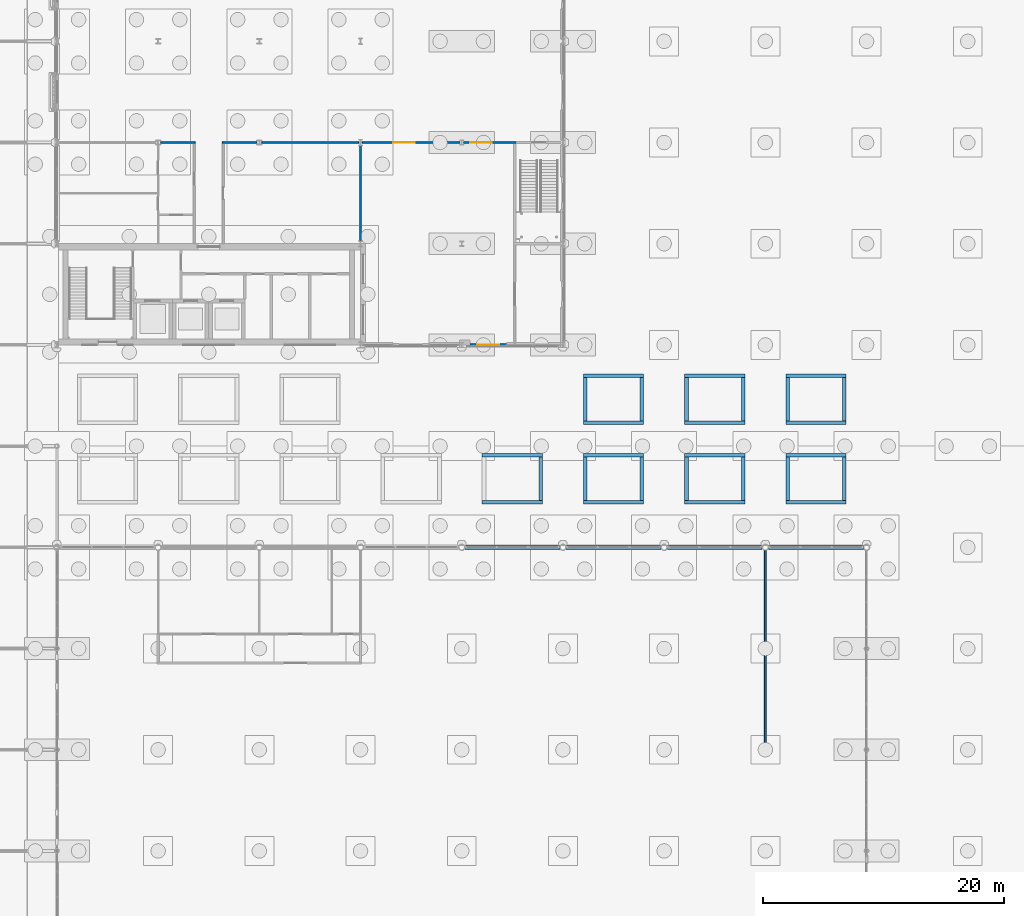
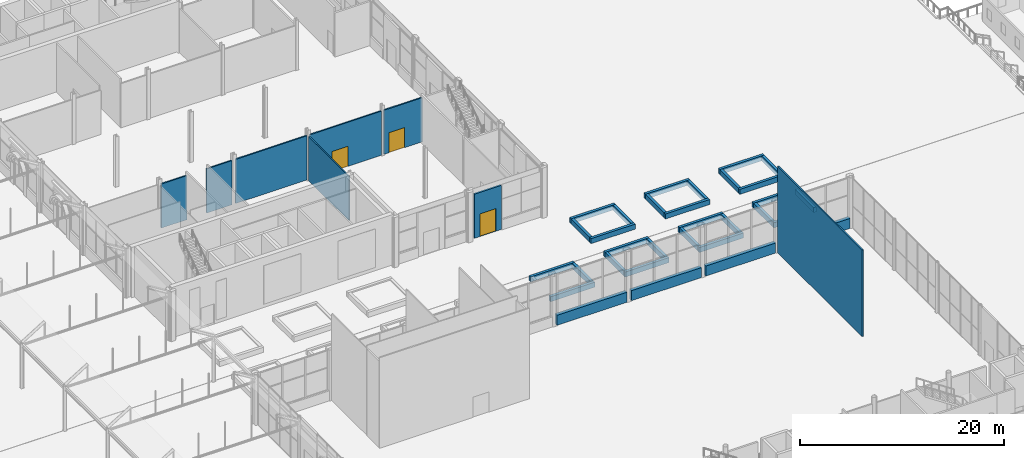
# One storey, part 187 of 212: 39 walls, 3 doors, 3 openings.
"""IFC4 building model written with IfcOpenShell, lengths in metres."""

from ifc_helpers import new_model, si_unit, direction, frame, frame_2d, origin, place, context, subcontext, project, spatial, rectangle, extrude, material, layer, layer_set, type_object, element, fill, save


model = new_model("IFC4")

# Units and contexts
model_context = context("Model", 3, precision=1e-05, world=origin(), true_north=direction((0.0, 1.0)))
body_context = subcontext(model_context, "Body", "Model", "MODEL_VIEW")
ifc_project = project(units=[si_unit("LENGTHUNIT", "METRE"), si_unit("AREAUNIT", "SQUARE_METRE"), si_unit("VOLUMEUNIT", "CUBIC_METRE"), si_unit("PLANEANGLEUNIT", "RADIAN"), si_unit("MASSUNIT", "GRAM", prefix="KILO")], contexts=[model_context])

# Site, building, storey
site_placement = place(None, origin())
site = spatial("IfcSite", under=ifc_project, at=site_placement, CompositionType="ELEMENT")
building_placement = place(site_placement, origin())
building = spatial("IfcBuilding", under=site, at=building_placement, Name="Catenary Quay Ferry Terminal", CompositionType="ELEMENT")
storey_placement = place(building_placement, origin())
storey = spatial("IfcBuildingStorey", under=building, at=storey_placement, Name="L00", CompositionType="ELEMENT", Elevation=0.0)

# Walls
ifc_material_1 = material(Name="Masonry and insulation", Category="masonry")
ifc_layer_1 = layer(ifc_material_1, 0.39990234375)
ifc_layer_set_1 = layer_set([ifc_layer_1], Name="EW14")
wall_type_1 = type_object("IfcWallType", Name="EW14", PredefinedType="SOLIDWALL", material=ifc_layer_set_1)
wall_1_placement = place(storey_placement, frame((59.06005859375, 142.800048828125, 0.0), z_axis=(0.0, 0.0, 1.0), x_axis=(1.0, 0.0, 0.0)))
element("IfcWall", 1, at=wall_1_placement, inside=storey, type_object=wall_type_1, Name="Plinth hall wall WL24", PredefinedType="SOLIDWALL", context=body_context, shape_type="SweptSolid", body=[
    extrude(rectangle(XDim=7.8798828125, YDim=0.39990234375, at=frame_2d((3.93994140625, 0.0))), origin(), (0.0, 0.0, 1.0), 1.199951171875),
])
wall_2_placement = place(storey_placement, frame((67.4599609375, 142.800048828125, 0.0), z_axis=(0.0, 0.0, 1.0), x_axis=(1.0, 0.0, 0.0)))
element("IfcWall", 2, at=wall_2_placement, inside=storey, type_object=wall_type_1, Name="Plinth hall wall WL25", PredefinedType="SOLIDWALL", context=body_context, shape_type="SweptSolid", body=[
    extrude(rectangle(XDim=7.880126953125, YDim=0.39990234375, at=frame_2d((3.93994140625, 0.0))), origin(), (0.0, 0.0, 1.0), 1.199951171875),
])
for number, where, z_axis, x_axis, name in (
    (3, (75.860107421875, 142.800048828125, 0.0), (0.0, 0.0, 1.0), (1.0, 0.0, 0.0), "Plinth hall wall WL26"),
    (4, (84.260009765625, 142.800048828125, 0.0), (0.0, 0.0, 1.0), (1.0, 0.0, 0.0), "Plinth hall wall WL27"),
):
    element("IfcWall", number, at=place(storey_placement, frame(where, z_axis=z_axis, x_axis=x_axis)), inside=storey, type_object=wall_type_1, Name=name, PredefinedType="SOLIDWALL", context=body_context, shape_type="SweptSolid", body=[
        extrude(rectangle(XDim=7.8798828125, YDim=0.39990234375, at=frame_2d((3.93994140625, 0.0))), origin(), (0.0, 0.0, 1.0), 1.199951171875),
    ])
ifc_material_2 = material(Name="Masonry and insulation", Category="masonry")
ifc_layer_2 = layer(ifc_material_2, 0.300048828125)
ifc_layer_set_2 = layer_set([ifc_layer_2], Name="EW15")
wall_type_2 = type_object("IfcWallType", Name="EW15", PredefinedType="SOLIDWALL", material=ifc_layer_set_2)
for number, where, z_axis, x_axis, name in (
    (5, (60.5, 146.550048828125, 0.0), (0.0, 0.0, 1.0), (1.0, 0.0, 0.0), "Planter court wall WL108"),
    (6, (60.5, 150.449951171875, 0.0), (0.0, 0.0, 1.0), (1.0, 0.0, 0.0), "Planter court wall WL109"),
):
    element("IfcWall", number, at=place(storey_placement, frame(where, z_axis=z_axis, x_axis=x_axis)), inside=storey, type_object=wall_type_2, Name=name, PredefinedType="SOLIDWALL", context=body_context, shape_type="SweptSolid", body=[
        extrude(rectangle(XDim=5.0, YDim=0.300048828125, at=frame_2d((2.5, 0.0))), origin(), (0.0, 0.0, 1.0), 0.60009765625),
    ])
wall_3_placement = place(storey_placement, frame((65.35009765625, 146.699951171875, 0.0), z_axis=(0.0, 0.0, 1.0), x_axis=(0.0, 1.0, 0.0)))
element("IfcWall", 7, at=wall_3_placement, inside=storey, type_object=wall_type_2, Name="Planter court wall WL111", PredefinedType="SOLIDWALL", context=body_context, shape_type="SweptSolid", body=[
    extrude(rectangle(XDim=3.60009765625, YDim=0.300048828125, at=frame_2d((1.800048828125, 0.0))), origin(), (0.0, 0.0, 1.0), 0.60009765625),
])
for number, where, z_axis, x_axis, name in (
    (8, (68.89990234375, 146.550048828125, 0.0), (0.0, 0.0, 1.0), (1.0, 0.0, 0.0), "Planter court wall WL112"),
    (9, (68.89990234375, 150.449951171875, 0.0), (0.0, 0.0, 1.0), (1.0, 0.0, 0.0), "Planter court wall WL113"),
):
    element("IfcWall", number, at=place(storey_placement, frame(where, z_axis=z_axis, x_axis=x_axis)), inside=storey, type_object=wall_type_2, Name=name, PredefinedType="SOLIDWALL", context=body_context, shape_type="SweptSolid", body=[
        extrude(rectangle(XDim=5.0, YDim=0.300048828125, at=frame_2d((2.5, 0.0))), origin(), (0.0, 0.0, 1.0), 0.60009765625),
    ])
for number, where, z_axis, x_axis, name in (
    (10, (69.050048828125, 146.699951171875, 0.0), (0.0, 0.0, 1.0), (0.0, 1.0, 0.0), "Planter court wall WL114"),
    (11, (73.75, 146.699951171875, 0.0), (0.0, 0.0, 1.0), (0.0, 1.0, 0.0), "Planter court wall WL115"),
):
    element("IfcWall", number, at=place(storey_placement, frame(where, z_axis=z_axis, x_axis=x_axis)), inside=storey, type_object=wall_type_2, Name=name, PredefinedType="SOLIDWALL", context=body_context, shape_type="SweptSolid", body=[
        extrude(rectangle(XDim=3.60009765625, YDim=0.300048828125, at=frame_2d((1.800048828125, 0.0))), origin(), (0.0, 0.0, 1.0), 0.60009765625),
    ])
for number, where, z_axis, x_axis, name in (
    (12, (68.89990234375, 153.14990234375, 0.0), (0.0, 0.0, 1.0), (1.0, 0.0, 0.0), "Planter court wall WL116"),
    (13, (68.89990234375, 157.050048828125, 0.0), (0.0, 0.0, 1.0), (1.0, 0.0, 0.0), "Planter court wall WL117"),
):
    element("IfcWall", number, at=place(storey_placement, frame(where, z_axis=z_axis, x_axis=x_axis)), inside=storey, type_object=wall_type_2, Name=name, PredefinedType="SOLIDWALL", context=body_context, shape_type="SweptSolid", body=[
        extrude(rectangle(XDim=5.0, YDim=0.300048828125, at=frame_2d((2.5, 0.0))), origin(), (0.0, 0.0, 1.0), 0.60009765625),
    ])
for number, where, z_axis, x_axis, name in (
    (14, (69.050048828125, 153.300048828125, 0.0), (0.0, 0.0, 1.0), (0.0, 1.0, 0.0), "Planter court wall WL118"),
    (15, (73.75, 153.300048828125, 0.0), (0.0, 0.0, 1.0), (0.0, 1.0, 0.0), "Planter court wall WL119"),
):
    element("IfcWall", number, at=place(storey_placement, frame(where, z_axis=z_axis, x_axis=x_axis)), inside=storey, type_object=wall_type_2, Name=name, PredefinedType="SOLIDWALL", context=body_context, shape_type="SweptSolid", body=[
        extrude(rectangle(XDim=3.599853515625, YDim=0.300048828125, at=frame_2d((1.7998046875, 0.0))), origin(), (0.0, 0.0, 1.0), 0.60009765625),
    ])
for number, where, z_axis, x_axis, name in (
    (16, (77.300048828125, 146.550048828125, 0.0), (0.0, 0.0, 1.0), (1.0, 0.0, 0.0), "Planter court wall WL120"),
    (17, (77.300048828125, 150.449951171875, 0.0), (0.0, 0.0, 1.0), (1.0, 0.0, 0.0), "Planter court wall WL121"),
):
    element("IfcWall", number, at=place(storey_placement, frame(where, z_axis=z_axis, x_axis=x_axis)), inside=storey, type_object=wall_type_2, Name=name, PredefinedType="SOLIDWALL", context=body_context, shape_type="SweptSolid", body=[
        extrude(rectangle(XDim=5.0, YDim=0.300048828125, at=frame_2d((2.5, 0.0))), origin(), (0.0, 0.0, 1.0), 0.60009765625),
    ])
for number, where, z_axis, x_axis, name in (
    (18, (77.449951171875, 146.699951171875, 0.0), (0.0, 0.0, 1.0), (0.0, 1.0, 0.0), "Planter court wall WL122"),
    (19, (82.14990234375, 146.699951171875, 0.0), (0.0, 0.0, 1.0), (0.0, 1.0, 0.0), "Planter court wall WL123"),
):
    element("IfcWall", number, at=place(storey_placement, frame(where, z_axis=z_axis, x_axis=x_axis)), inside=storey, type_object=wall_type_2, Name=name, PredefinedType="SOLIDWALL", context=body_context, shape_type="SweptSolid", body=[
        extrude(rectangle(XDim=3.60009765625, YDim=0.300048828125, at=frame_2d((1.800048828125, 0.0))), origin(), (0.0, 0.0, 1.0), 0.60009765625),
    ])
for number, where, z_axis, x_axis, name in (
    (20, (77.300048828125, 153.14990234375, 0.0), (0.0, 0.0, 1.0), (1.0, 0.0, 0.0), "Planter court wall WL124"),
    (21, (77.300048828125, 157.050048828125, 0.0), (0.0, 0.0, 1.0), (1.0, 0.0, 0.0), "Planter court wall WL125"),
):
    element("IfcWall", number, at=place(storey_placement, frame(where, z_axis=z_axis, x_axis=x_axis)), inside=storey, type_object=wall_type_2, Name=name, PredefinedType="SOLIDWALL", context=body_context, shape_type="SweptSolid", body=[
        extrude(rectangle(XDim=5.0, YDim=0.300048828125, at=frame_2d((2.5, 0.0))), origin(), (0.0, 0.0, 1.0), 0.60009765625),
    ])
for number, where, z_axis, x_axis, name in (
    (22, (77.449951171875, 153.300048828125, 0.0), (0.0, 0.0, 1.0), (0.0, 1.0, 0.0), "Planter court wall WL126"),
    (23, (82.14990234375, 153.300048828125, 0.0), (0.0, 0.0, 1.0), (0.0, 1.0, 0.0), "Planter court wall WL127"),
):
    element("IfcWall", number, at=place(storey_placement, frame(where, z_axis=z_axis, x_axis=x_axis)), inside=storey, type_object=wall_type_2, Name=name, PredefinedType="SOLIDWALL", context=body_context, shape_type="SweptSolid", body=[
        extrude(rectangle(XDim=3.599853515625, YDim=0.300048828125, at=frame_2d((1.7998046875, 0.0))), origin(), (0.0, 0.0, 1.0), 0.60009765625),
    ])
for number, where, z_axis, x_axis, name in (
    (24, (85.699951171875, 146.550048828125, 0.0), (0.0, 0.0, 1.0), (1.0, 0.0, 0.0), "Planter court wall WL128"),
    (25, (85.699951171875, 150.449951171875, 0.0), (0.0, 0.0, 1.0), (1.0, 0.0, 0.0), "Planter court wall WL129"),
):
    element("IfcWall", number, at=place(storey_placement, frame(where, z_axis=z_axis, x_axis=x_axis)), inside=storey, type_object=wall_type_2, Name=name, PredefinedType="SOLIDWALL", context=body_context, shape_type="SweptSolid", body=[
        extrude(rectangle(XDim=5.0, YDim=0.300048828125, at=frame_2d((2.5, 0.0))), origin(), (0.0, 0.0, 1.0), 0.60009765625),
    ])
for number, where, z_axis, x_axis, name in (
    (26, (85.85009765625, 146.699951171875, 0.0), (0.0, 0.0, 1.0), (0.0, 1.0, 0.0), "Planter court wall WL130"),
    (27, (90.550048828125, 146.699951171875, 0.0), (0.0, 0.0, 1.0), (0.0, 1.0, 0.0), "Planter court wall WL131"),
):
    element("IfcWall", number, at=place(storey_placement, frame(where, z_axis=z_axis, x_axis=x_axis)), inside=storey, type_object=wall_type_2, Name=name, PredefinedType="SOLIDWALL", context=body_context, shape_type="SweptSolid", body=[
        extrude(rectangle(XDim=3.60009765625, YDim=0.300048828125, at=frame_2d((1.800048828125, 0.0))), origin(), (0.0, 0.0, 1.0), 0.60009765625),
    ])
for number, where, z_axis, x_axis, name in (
    (28, (85.699951171875, 153.14990234375, 0.0), (0.0, 0.0, 1.0), (1.0, 0.0, 0.0), "Planter court wall WL132"),
    (29, (85.699951171875, 157.050048828125, 0.0), (0.0, 0.0, 1.0), (1.0, 0.0, 0.0), "Planter court wall WL133"),
):
    element("IfcWall", number, at=place(storey_placement, frame(where, z_axis=z_axis, x_axis=x_axis)), inside=storey, type_object=wall_type_2, Name=name, PredefinedType="SOLIDWALL", context=body_context, shape_type="SweptSolid", body=[
        extrude(rectangle(XDim=5.0, YDim=0.300048828125, at=frame_2d((2.5, 0.0))), origin(), (0.0, 0.0, 1.0), 0.60009765625),
    ])
for number, where, z_axis, x_axis, name in (
    (30, (85.85009765625, 153.300048828125, 0.0), (0.0, 0.0, 1.0), (0.0, 1.0, 0.0), "Planter court wall WL134"),
    (31, (90.550048828125, 153.300048828125, 0.0), (0.0, 0.0, 1.0), (0.0, 1.0, 0.0), "Planter court wall WL135"),
):
    element("IfcWall", number, at=place(storey_placement, frame(where, z_axis=z_axis, x_axis=x_axis)), inside=storey, type_object=wall_type_2, Name=name, PredefinedType="SOLIDWALL", context=body_context, shape_type="SweptSolid", body=[
        extrude(rectangle(XDim=3.599853515625, YDim=0.300048828125, at=frame_2d((1.7998046875, 0.0))), origin(), (0.0, 0.0, 1.0), 0.60009765625),
    ])

# Wall, opening, door
ifc_material_3 = material(Name="Masonry and insulation", Category="masonry")
ifc_layer_3 = layer(ifc_material_3, 0.199951171875)
ifc_layer_set_3 = layer_set([ifc_layer_3], Name="EW6")
wall_type_3 = type_object("IfcWallType", Name="EW6", PredefinedType="SOLIDWALL", material=ifc_layer_set_3)
wall_4_placement = place(storey_placement, frame((59.5, 159.60009765625, 0.0), z_axis=(0.0, 0.0, 1.0), x_axis=(1.0, 0.0, 0.0)))
wall_4 = element("IfcWall", 32, at=wall_4_placement, inside=storey, type_object=wall_type_3, Name="Front wing wall WL66", PredefinedType="SOLIDWALL", context=body_context, shape_type="SweptSolid", body=[
    extrude(rectangle(XDim=3.0, YDim=0.199951171875, at=frame_2d((1.5, 0.0))), origin(), (0.0, 0.0, 1.0), 5.271728515625),
])
opening_1_placement = place(wall_4_placement, frame((0.60009765625, 0.0, 0.0)))
opening_1 = element("IfcOpeningElement", 33, at=opening_1_placement, cuts=wall_4, Name="Opening D24", PredefinedType="OPENING", context=body_context, shape_type="SweptSolid", body=[
    extrude(rectangle(XDim=1.800048828125, YDim=2.699951171875, at=frame_2d((0.89990234375, 1.35009765625))), frame((0.0, 0.10986328125, 0.0), z_axis=(0.0, -1.0, 0.0), x_axis=(1.0, 0.0, 0.0)), (0.0, 0.0, 1.0), 0.219970703125),
])
ifc_material_4 = material(Name="Aluminium and glass", Category="aluminium")
door_type_1 = type_object("IfcDoorType", Name="DXH1800", OperationType="DOUBLE_DOOR_DOUBLE_SWING", PredefinedType="DOOR", material=ifc_material_4)
door_1_placement = place(opening_1_placement, frame((1.800048828125, 0.0, 0.0), z_axis=(0.0, 0.0, 1.0), x_axis=(-1.0, 0.0, 0.0)))
door_1 = element("IfcDoor", 34, at=door_1_placement, inside=storey, type_object=door_type_1, Name="Front wing door D24", OperationType="DOUBLE_DOOR_DOUBLE_SWING", OverallHeight=2.699951171875, OverallWidth=1.800048828125, PredefinedType="DOOR", context=body_context, shape_type="SweptSolid", body=[
    extrude(rectangle(XDim=1.800048828125, YDim=2.699951171875, at=frame_2d((0.89990234375, 1.35009765625))), frame((0.0, 0.02490234375, 0.0), z_axis=(0.0, -1.0, 0.0), x_axis=(1.0, 0.0, 0.0)), (0.0, 0.0, 1.0), 0.050048828125),
])
fill(opening_1, door_1)

# Walls
ifc_material_5 = material(Name="Plasterboard on steel studs", Category="steel")
ifc_layer_4 = layer(ifc_material_5, 0.14990234375)
ifc_layer_set_4 = layer_set([ifc_layer_4], Name="IP7")
wall_type_4 = type_object("IfcWallType", Name="IP7", PredefinedType="PARTITIONING", material=ifc_layer_set_4)
for number, where, z_axis, x_axis, name in (
    (35, (33.802001953125, 176.39990234375, 0.0), (0.0, 0.0, 1.0), (1.0, 0.0, 0.0), "Partition L00 48"),
    (36, (38.925048828125, 176.39990234375, 0.0), (0.0, 0.0, 1.0), (1.0, 0.0, 0.0), "Partition L00 49"),
):
    element("IfcWall", number, at=place(storey_placement, frame(where, z_axis=z_axis, x_axis=x_axis)), inside=storey, type_object=wall_type_4, Name=name, PredefinedType="PARTITIONING", context=body_context, shape_type="SweptSolid", body=[
        extrude(rectangle(XDim=2.873046875, YDim=0.14990234375, at=frame_2d((1.4365234375, 0.0))), origin(), (0.0, 0.0, 1.0), 5.271728515625),
    ])
wall_5_placement = place(storey_placement, frame((42.201904296875, 176.39990234375, 0.0), z_axis=(0.0, 0.0, 1.0), x_axis=(1.0, 0.0, 0.0)))
element("IfcWall", 37, at=wall_5_placement, inside=storey, type_object=wall_type_4, Name="Partition L00 50", PredefinedType="PARTITIONING", context=body_context, shape_type="SweptSolid", body=[
    extrude(rectangle(XDim=8.048095703125, YDim=0.14990234375, at=frame_2d((4.02392578125, 0.0))), origin(), (0.0, 0.0, 1.0), 5.271728515625),
])

# Wall, opening, door
wall_6_placement = place(storey_placement, frame((50.550048828125, 176.39990234375, 0.0), z_axis=(0.0, 0.0, 1.0), x_axis=(1.0, 0.0, 0.0)))
wall_6 = element("IfcWall", 38, at=wall_6_placement, inside=storey, type_object=wall_type_4, Name="Partition L00 51", PredefinedType="PARTITIONING", context=body_context, shape_type="SweptSolid", body=[
    extrude(rectangle(XDim=8.099853515625, YDim=0.14990234375, at=frame_2d((4.0498046875, 0.0))), origin(), (0.0, 0.0, 1.0), 5.271728515625),
])
opening_2_placement = place(wall_6_placement, frame((2.550048828125, 0.0, 0.0)))
opening_2 = element("IfcOpeningElement", 39, at=opening_2_placement, cuts=wall_6, Name="Opening D95", PredefinedType="OPENING", context=body_context, shape_type="SweptSolid", body=[
    extrude(rectangle(XDim=1.800048828125, YDim=2.39990234375, at=frame_2d((0.89990234375, 1.199951171875))), frame((0.0, 0.0849609375, 0.0), z_axis=(0.0, -1.0, 0.0), x_axis=(1.0, 0.0, 0.0)), (0.0, 0.0, 1.0), 0.169921875),
])
ifc_material_6 = material(Name="Aluminium and glass", Category="aluminium")
door_type_2 = type_object("IfcDoorType", Name="DI6", OperationType="DOUBLE_DOOR_SINGLE_SWING", PredefinedType="DOOR", material=ifc_material_6)
door_2_placement = place(opening_2_placement, origin())
door_2 = element("IfcDoor", 40, at=door_2_placement, inside=storey, type_object=door_type_2, Name="Wing Cafe to East Foyer", OperationType="DOUBLE_DOOR_SINGLE_SWING", OverallHeight=2.39990234375, OverallWidth=1.800048828125, PredefinedType="DOOR", context=body_context, shape_type="SweptSolid", body=[
    extrude(rectangle(XDim=1.800048828125, YDim=2.39990234375, at=frame_2d((0.89990234375, 1.199951171875))), frame((0.0, 0.02490234375, 0.0), z_axis=(0.0, -1.0, 0.0), x_axis=(1.0, 0.0, 0.0)), (0.0, 0.0, 1.0), 0.050048828125),
])
fill(opening_2, door_2)

wall_7_placement = place(storey_placement, frame((58.949951171875, 176.39990234375, 0.0), z_axis=(0.0, 0.0, 1.0), x_axis=(1.0, 0.0, 0.0)))
wall_7 = element("IfcWall", 41, at=wall_7_placement, inside=storey, type_object=wall_type_4, Name="Partition L00 52", PredefinedType="PARTITIONING", context=body_context, shape_type="SweptSolid", body=[
    extrude(rectangle(XDim=4.35009765625, YDim=0.14990234375, at=frame_2d((2.175048828125, 0.0))), origin(), (0.0, 0.0, 1.0), 5.271728515625),
])
opening_3_placement = place(wall_7_placement, frame((0.550048828125, 0.0, 0.0)))
opening_3 = element("IfcOpeningElement", 42, at=opening_3_placement, cuts=wall_7, Name="Opening D96", PredefinedType="OPENING", context=body_context, shape_type="SweptSolid", body=[
    extrude(rectangle(XDim=1.800048828125, YDim=2.39990234375, at=frame_2d((0.89990234375, 1.199951171875))), frame((0.0, 0.0849609375, 0.0), z_axis=(0.0, -1.0, 0.0), x_axis=(1.0, 0.0, 0.0)), (0.0, 0.0, 1.0), 0.169921875),
])
door_3_placement = place(opening_3_placement, origin())
door_3 = element("IfcDoor", 43, at=door_3_placement, inside=storey, type_object=door_type_2, Name="Wing Cafe to East Foyer", OperationType="DOUBLE_DOOR_SINGLE_SWING", OverallHeight=2.39990234375, OverallWidth=1.800048828125, PredefinedType="DOOR", context=body_context, shape_type="SweptSolid", body=[
    extrude(rectangle(XDim=1.800048828125, YDim=2.39990234375, at=frame_2d((0.89990234375, 1.199951171875))), frame((0.0, 0.02490234375, 0.0), z_axis=(0.0, -1.0, 0.0), x_axis=(1.0, 0.0, 0.0)), (0.0, 0.0, 1.0), 0.050048828125),
])
fill(opening_3, door_3)

# Walls
wall_8_placement = place(storey_placement, frame((50.39990234375, 168.25, 0.0), z_axis=(0.0, 0.0, 1.0), x_axis=(0.0, 1.0, 0.0)))
element("IfcWall", 44, at=wall_8_placement, inside=storey, type_object=wall_type_4, Name="Partition L00 96", PredefinedType="PARTITIONING", context=body_context, shape_type="SweptSolid", body=[
    extrude(rectangle(XDim=7.89990234375, YDim=0.14990234375, at=frame_2d((3.949951171875, 0.0))), origin(), (0.0, 0.0, 1.0), 5.271728515625),
])
wall_9_placement = place(storey_placement, frame((84.0, 126.0, 0.0), z_axis=(0.0, 0.0, 1.0), x_axis=(0.0, 1.0, 0.0)))
element("IfcWall", 45, at=wall_9_placement, inside=storey, type_object=wall_type_4, Name="Partition L00 111", PredefinedType="PARTITIONING", context=body_context, shape_type="SweptSolid", body=[
    extrude(rectangle(XDim=16.5458984375, YDim=0.14990234375, at=frame_2d((8.27294921875, 0.0))), origin(), (0.0, 0.0, 1.0), 10.338134765625),
])

save(model, "model.ifc")
